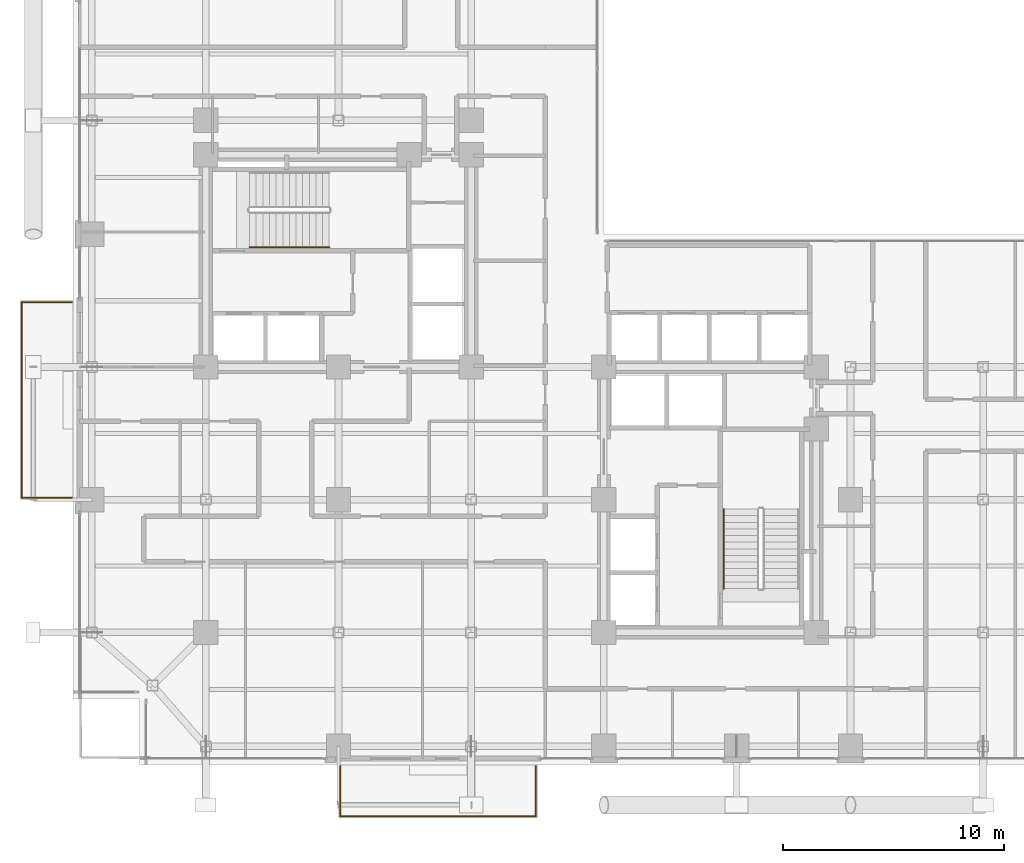
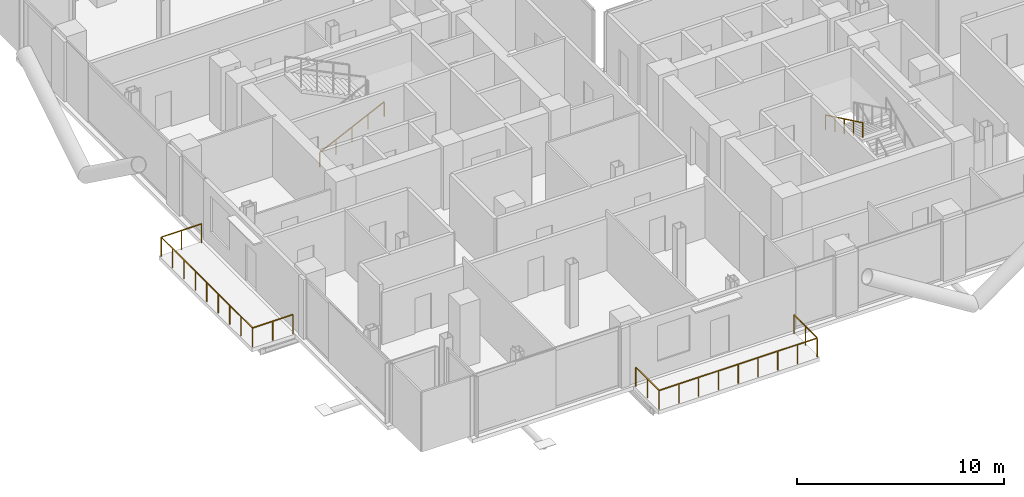
# One storey, part 23 of 24: 4 railings.
"""IFC4 building model written with IfcOpenShell, lengths in metres."""

from ifc_helpers import new_model, si_unit, direction, frame, origin, origin_2d, place, context, subcontext, project, spatial, rectangle, extrude, material, type_object, element, save


model = new_model("IFC4")

# Units and contexts
model_context = context("Model", 3, precision=1e-05, world=origin(), true_north=direction((0.0, 1.0)))
body_context = subcontext(model_context, "Body", "Model", "MODEL_VIEW")
ifc_project = project(units=[si_unit("LENGTHUNIT", "METRE"), si_unit("AREAUNIT", "SQUARE_METRE"), si_unit("VOLUMEUNIT", "CUBIC_METRE"), si_unit("PLANEANGLEUNIT", "RADIAN"), si_unit("MASSUNIT", "GRAM", prefix="KILO"), si_unit("THERMODYNAMICTEMPERATUREUNIT", "KELVIN"), si_unit("POWERUNIT", "WATT")], contexts=[model_context])

# Site, building, storey
site_placement = place(None, origin())
site = spatial("IfcSite", under=ifc_project, at=site_placement, CompositionType="ELEMENT")
building_placement = place(site_placement, origin())
building = spatial("IfcBuilding", under=site, at=building_placement, Name="Svarakhadi Broadcast Tower", CompositionType="ELEMENT")
storey_placement = place(building_placement, frame((0.0, 0.0, 141.89990234375)))
storey = spatial("IfcBuildingStorey", under=building, at=storey_placement, Name="L34", CompositionType="ELEMENT", Elevation=141.89990234375)

# Railings
ifc_material_1 = material(Name="Laminated Structural SentryGlas Balustrade 25.5 mm", Category="glass")
railing_type_1 = type_object("IfcRailingType", Name="Guard_Balcony_GR01", PredefinedType="BALUSTRADE", material=ifc_material_1)
railing_1_placement = place(storey_placement, frame((12.080078125, -0.06005859375, 0.0)))
element("IfcRailing", 1, at=railing_1_placement, inside=storey, type_object=railing_type_1, Name="L34 South Tree Balcony Guard GR-05", PredefinedType="BALUSTRADE", context=body_context, shape_type="SweptSolid", body=[
    extrude(rectangle(XDim=0.048095703125, YDim=0.048095703125, at=origin_2d()), frame((0.0, 0.0, 1.1259765625), z_axis=(0.0, -1.0, 0.0), x_axis=(1.0, 0.0, 0.0)), (0.0, 0.0, 1.0), 2.260009765625),
    extrude(rectangle(XDim=0.048095703125, YDim=0.048095703125, at=origin_2d()), frame((0.0, -2.260009765625, 1.1259765625), z_axis=(1.0, 0.0, 0.0), x_axis=(0.0, 1.0, 0.0)), (0.0, 0.0, 1.0), 8.83984375),
    extrude(rectangle(XDim=0.048095703125, YDim=0.048095703125, at=origin_2d()), frame((8.83984375, -2.260009765625, 1.1259765625), z_axis=(0.0, 1.0, 0.0), x_axis=(-1.0, 0.0, 0.0)), (0.0, 0.0, 1.0), 2.260009765625),
    extrude(rectangle(XDim=0.0419921875, YDim=0.0419921875, at=origin_2d()), origin(), (0.0, 0.0, 1.0), 1.101806640625),
    extrude(rectangle(XDim=0.0419921875, YDim=0.0419921875, at=origin_2d()), frame((0.0, -1.1298828125, 0.0)), (0.0, 0.0, 1.0), 1.101806640625),
    extrude(rectangle(XDim=0.0419921875, YDim=0.0419921875, at=origin_2d()), frame((0.0, -2.260009765625, 0.0)), (0.0, 0.0, 1.0), 1.101806640625),
    extrude(rectangle(XDim=0.0419921875, YDim=0.0419921875, at=origin_2d()), frame((1.10498046875, -2.260009765625, 0.0)), (0.0, 0.0, 1.0), 1.101806640625),
    extrude(rectangle(XDim=0.0419921875, YDim=0.0419921875, at=origin_2d()), frame((2.2099609375, -2.260009765625, 0.0)), (0.0, 0.0, 1.0), 1.101806640625),
    extrude(rectangle(XDim=0.0419921875, YDim=0.0419921875, at=origin_2d()), frame((3.31494140625, -2.260009765625, 0.0)), (0.0, 0.0, 1.0), 1.101806640625),
    extrude(rectangle(XDim=0.0419921875, YDim=0.0419921875, at=origin_2d()), frame((4.419921875, -2.260009765625, 0.0)), (0.0, 0.0, 1.0), 1.101806640625),
    extrude(rectangle(XDim=0.0419921875, YDim=0.0419921875, at=origin_2d()), frame((5.52490234375, -2.260009765625, 0.0)), (0.0, 0.0, 1.0), 1.101806640625),
    extrude(rectangle(XDim=0.0419921875, YDim=0.0419921875, at=origin_2d()), frame((6.6298828125, -2.260009765625, 0.0)), (0.0, 0.0, 1.0), 1.101806640625),
    extrude(rectangle(XDim=0.0419921875, YDim=0.0419921875, at=origin_2d()), frame((7.73486328125, -2.260009765625, 0.0)), (0.0, 0.0, 1.0), 1.101806640625),
    extrude(rectangle(XDim=0.0419921875, YDim=0.0419921875, at=origin_2d()), frame((8.83984375, -2.260009765625, 0.0)), (0.0, 0.0, 1.0), 1.101806640625),
    extrude(rectangle(XDim=0.0419921875, YDim=0.0419921875, at=origin_2d()), frame((8.83984375, -1.1298828125, 0.0)), (0.0, 0.0, 1.0), 1.101806640625),
    extrude(rectangle(XDim=0.0419921875, YDim=0.0419921875, at=origin_2d()), frame((8.83984375, 0.0, 0.0)), (0.0, 0.0, 1.0), 1.101806640625),
])
railing_2_placement = place(storey_placement, frame((-0.06005859375, 12.080078125, 0.0)))
element("IfcRailing", 2, at=railing_2_placement, inside=storey, type_object=railing_type_1, Name="L34 West Tree Balcony Guard GR-05", PredefinedType="BALUSTRADE", context=body_context, shape_type="SweptSolid", body=[
    extrude(rectangle(XDim=0.048095703125, YDim=0.048095703125, at=origin_2d()), frame((0.0, 0.0, 1.1259765625), z_axis=(-1.0, 0.0, 0.0), x_axis=(0.0, -1.0, 0.0)), (0.0, 0.0, 1.0), 2.260009765625),
    extrude(rectangle(XDim=0.048095703125, YDim=0.048095703125, at=origin_2d()), frame((-2.260009765625, 0.0, 1.1259765625), z_axis=(0.0, 1.0, 0.0), x_axis=(-1.0, 0.0, 0.0)), (0.0, 0.0, 1.0), 8.83984375),
    extrude(rectangle(XDim=0.048095703125, YDim=0.048095703125, at=origin_2d()), frame((-2.260009765625, 8.83984375, 1.1259765625), z_axis=(1.0, 0.0, 0.0), x_axis=(0.0, 1.0, 0.0)), (0.0, 0.0, 1.0), 2.260009765625),
    extrude(rectangle(XDim=0.0419921875, YDim=0.0419921875, at=origin_2d()), origin(), (0.0, 0.0, 1.0), 1.101806640625),
    extrude(rectangle(XDim=0.0419921875, YDim=0.0419921875, at=origin_2d()), frame((-1.1298828125, 0.0, 0.0)), (0.0, 0.0, 1.0), 1.101806640625),
    extrude(rectangle(XDim=0.0419921875, YDim=0.0419921875, at=origin_2d()), frame((-2.260009765625, 0.0, 0.0)), (0.0, 0.0, 1.0), 1.101806640625),
    extrude(rectangle(XDim=0.0419921875, YDim=0.0419921875, at=origin_2d()), frame((-2.260009765625, 1.10498046875, 0.0)), (0.0, 0.0, 1.0), 1.101806640625),
    extrude(rectangle(XDim=0.0419921875, YDim=0.0419921875, at=origin_2d()), frame((-2.260009765625, 2.2099609375, 0.0)), (0.0, 0.0, 1.0), 1.101806640625),
    extrude(rectangle(XDim=0.0419921875, YDim=0.0419921875, at=origin_2d()), frame((-2.260009765625, 3.31494140625, 0.0)), (0.0, 0.0, 1.0), 1.101806640625),
    extrude(rectangle(XDim=0.0419921875, YDim=0.0419921875, at=origin_2d()), frame((-2.260009765625, 4.419921875, 0.0)), (0.0, 0.0, 1.0), 1.101806640625),
    extrude(rectangle(XDim=0.0419921875, YDim=0.0419921875, at=origin_2d()), frame((-2.260009765625, 5.52490234375, 0.0)), (0.0, 0.0, 1.0), 1.101806640625),
    extrude(rectangle(XDim=0.0419921875, YDim=0.0419921875, at=origin_2d()), frame((-2.260009765625, 6.6298828125, 0.0)), (0.0, 0.0, 1.0), 1.101806640625),
    extrude(rectangle(XDim=0.0419921875, YDim=0.0419921875, at=origin_2d()), frame((-2.260009765625, 7.73486328125, 0.0)), (0.0, 0.0, 1.0), 1.101806640625),
    extrude(rectangle(XDim=0.0419921875, YDim=0.0419921875, at=origin_2d()), frame((-2.260009765625, 8.83984375, 0.0)), (0.0, 0.0, 1.0), 1.101806640625),
    extrude(rectangle(XDim=0.0419921875, YDim=0.0419921875, at=origin_2d()), frame((-1.1298828125, 8.83984375, 0.0)), (0.0, 0.0, 1.0), 1.101806640625),
    extrude(rectangle(XDim=0.0419921875, YDim=0.0419921875, at=origin_2d()), frame((0.0, 8.83984375, 0.0)), (0.0, 0.0, 1.0), 1.101806640625),
])
ifc_material_2 = material(Name="Anodised Bronze Aluminium AA 6063-T6", Category="aluminium")
railing_type_2 = type_object("IfcRailingType", Name="Handrail_Stair_HR01", PredefinedType="HANDRAIL", material=ifc_material_2)
railing_3_placement = place(storey_placement, frame((7.97998046875, 23.409912109375, 0.144287109375)))
element("IfcRailing", 3, at=railing_3_placement, inside=storey, type_object=railing_type_2, Name="L34 ST-01 stair handrail 1", PredefinedType="HANDRAIL", context=body_context, shape_type="SweptSolid", body=[
    extrude(rectangle(XDim=0.048095703125, YDim=0.048095703125, at=origin_2d()), frame((0.0, 0.0, 0.8759765625), z_axis=(0.901262522062, 0.0, 0.433273431364), x_axis=(0.0, 1.0, 0.0)), (0.0, 0.0, 1.0), 3.994384765625),
    extrude(rectangle(XDim=0.0419921875, YDim=0.0419921875, at=origin_2d()), origin(), (0.0, 0.0, 1.0), 0.851806640625),
    extrude(rectangle(XDim=0.0419921875, YDim=0.0419921875, at=origin_2d()), frame((0.89990234375, 0.0, 0.4326171875)), (0.0, 0.0, 1.0), 0.851806640625),
    extrude(rectangle(XDim=0.0419921875, YDim=0.0419921875, at=origin_2d()), frame((1.800048828125, 0.0, 0.865234375)), (0.0, 0.0, 1.0), 0.851806640625),
    extrude(rectangle(XDim=0.0419921875, YDim=0.0419921875, at=origin_2d()), frame((2.7001953125, 0.0, 1.298095703125)), (0.0, 0.0, 1.0), 0.851806640625),
    extrude(rectangle(XDim=0.0419921875, YDim=0.0419921875, at=origin_2d()), frame((3.60009765625, 0.0, 1.730712890625)), (0.0, 0.0, 1.0), 0.851806640625),
])
railing_4_placement = place(storey_placement, frame((29.409912109375, 11.580078125, 2.019287109375)))
element("IfcRailing", 4, at=railing_4_placement, inside=storey, type_object=railing_type_2, Name="L34 ST-02 stair handrail 2", PredefinedType="HANDRAIL", context=body_context, shape_type="SweptSolid", body=[
    extrude(rectangle(XDim=0.048095703125, YDim=0.048095703125, at=origin_2d()), frame((0.0, 0.0, 0.8759765625), z_axis=(0.0, -0.901262522062, 0.433273431364), x_axis=(1.0, 0.0, 0.0)), (0.0, 0.0, 1.0), 3.994384765625),
    extrude(rectangle(XDim=0.0419921875, YDim=0.0419921875, at=origin_2d()), origin(), (0.0, 0.0, 1.0), 0.851806640625),
    extrude(rectangle(XDim=0.0419921875, YDim=0.0419921875, at=origin_2d()), frame((0.0, -0.89990234375, 0.4326171875)), (0.0, 0.0, 1.0), 0.851806640625),
    extrude(rectangle(XDim=0.0419921875, YDim=0.0419921875, at=origin_2d()), frame((0.0, -1.800048828125, 0.865234375)), (0.0, 0.0, 1.0), 0.851806640625),
    extrude(rectangle(XDim=0.0419921875, YDim=0.0419921875, at=origin_2d()), frame((0.0, -2.7001953125, 1.298095703125)), (0.0, 0.0, 1.0), 0.851806640625),
    extrude(rectangle(XDim=0.0419921875, YDim=0.0419921875, at=origin_2d()), frame((0.0, -3.60009765625, 1.730712890625)), (0.0, 0.0, 1.0), 0.851806640625),
])

save(model, "model.ifc")
